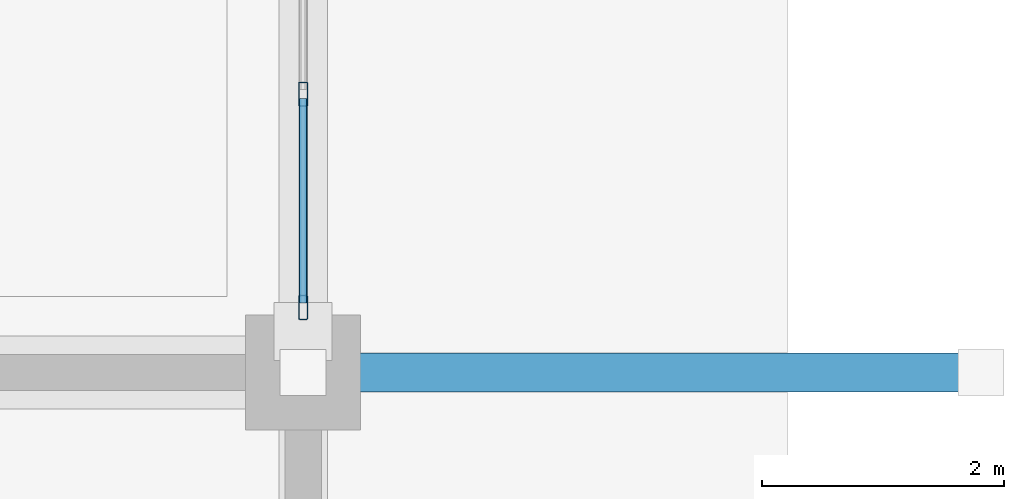
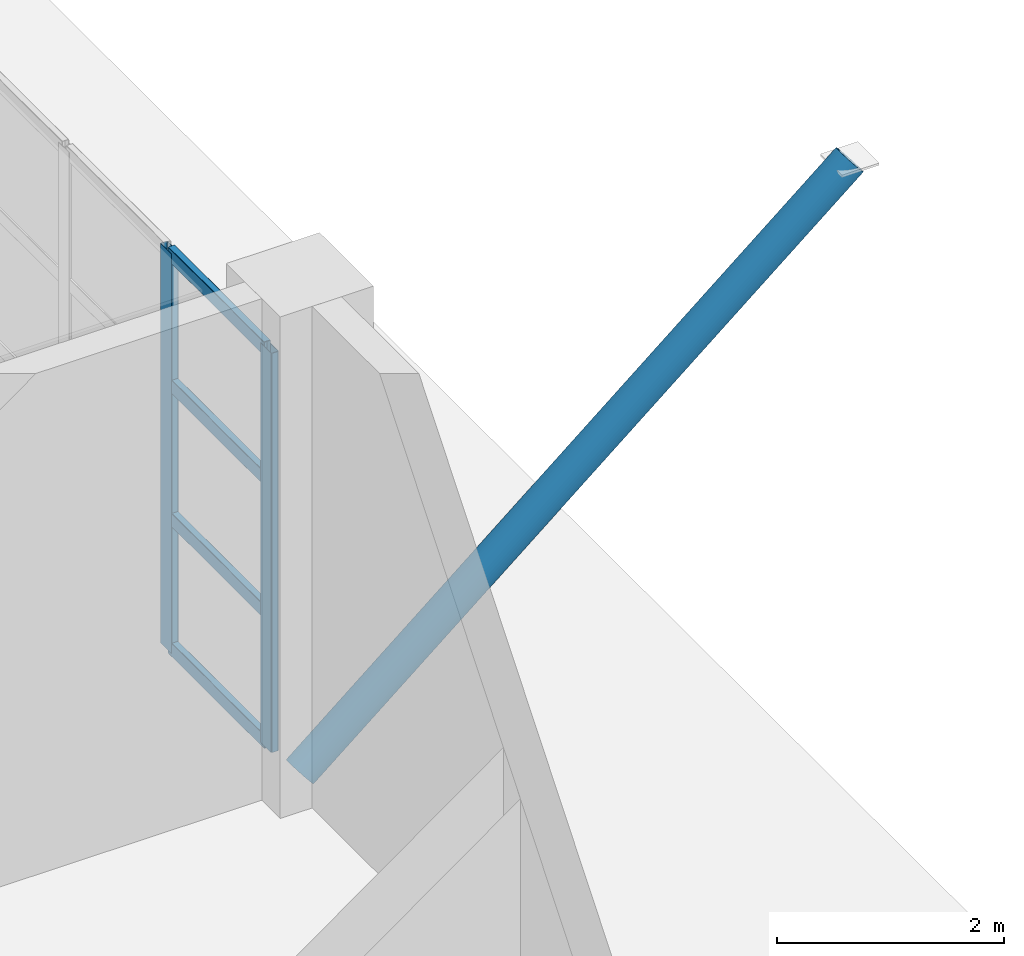
# One storey, part 61 of 124: 7 members, 1 element without a shape of its own.
"""IFC4 building model written with IfcOpenShell, lengths in metres."""

from ifc_helpers import new_model, si_unit, direction, frame, origin, origin_2d, place, context, subcontext, project, spatial, hollow_rectangle, hollow_circle, extrude, material, material_profile, profile_set, type_object, element, aggregate, save


model = new_model("IFC4")

# Units and contexts
model_context = context("Model", 3, precision=1e-05, world=origin(), true_north=direction((0.0, 1.0)))
body_context = subcontext(model_context, "Body", "Model", "MODEL_VIEW")
ifc_project = project(units=[si_unit("LENGTHUNIT", "METRE"), si_unit("AREAUNIT", "SQUARE_METRE"), si_unit("VOLUMEUNIT", "CUBIC_METRE"), si_unit("PLANEANGLEUNIT", "RADIAN"), si_unit("MASSUNIT", "GRAM", prefix="KILO")], contexts=[model_context])

# Site, building, storey
site_placement = place(None, origin())
site = spatial("IfcSite", under=ifc_project, at=site_placement, CompositionType="ELEMENT")
building_placement = place(site_placement, origin())
building = spatial("IfcBuilding", under=site, at=building_placement, Name="Brelvane Convention Centre", CompositionType="ELEMENT")
storey_placement = place(building_placement, origin())
storey = spatial("IfcBuildingStorey", under=building, at=storey_placement, Name="L00", CompositionType="ELEMENT", Elevation=0.0)

# Curtain wall, members
ifc_material_1 = material(Name="Anodised Aluminium Alloy 6063-T6", Category="aluminium")
curtain_wall_type = type_object("IfcCurtainWallType", Name="Curtain Wall CW-BOUL", PredefinedType="USERDEFINED", material=ifc_material_1)
curtain_wall_placement = place(storey_placement, origin())
curtain_wall = element("IfcCurtainWall", 1, at=curtain_wall_placement, inside=storey, type_object=curtain_wall_type, Name="Curtain Wall CW-BOUL L00-V5E-CW-L00", ObjectType="UNITISED", PredefinedType="USERDEFINED")
ifc_material_2 = material(Name="Anodised Aluminium Alloy 6063-T6", Category="aluminium")
ifc_material_profile_1 = material_profile(ifc_material_2, hollow_rectangle(XDim=0.074951171875, YDim=0.199951171875, WallThickness=0.0048828125, InnerFilletRadius=0.0048828125, OuterFilletRadius=0.010009765625, at=origin_2d()), Name="ALU-M 200x75x5.0")
ifc_profile_set_1 = profile_set([ifc_material_profile_1], Name="Anodised Aluminium Alloy 6063-T6")
member_type_1 = type_object("IfcMemberType", Name="Curtain Mullion CW-M2", PredefinedType="MULLION", material=ifc_profile_set_1)
member_1_placement = place(storey_placement, frame((224.39990234375, 29.33740234375, 0.0), z_axis=(0.0, 0.0, 1.0), x_axis=(-1.0, 0.0, 0.0)))
member_1 = element("IfcMember", 2, at=member_1_placement, type_object=member_type_1, Name="CW-BOUL mullion 1", PredefinedType="MULLION", context=body_context, shape_type="SweptSolid", body=[
    extrude(hollow_rectangle(XDim=0.074951171875, YDim=0.199951171875, WallThickness=0.0048828125, InnerFilletRadius=0.0048828125, OuterFilletRadius=0.010009765625, at=origin_2d()), origin(), (0.0, 0.0, 1.0), 4.300048828125),
])
member_2_placement = place(storey_placement, frame((224.39990234375, 31.10009765625, 0.0), z_axis=(0.0, 0.0, 1.0), x_axis=(-1.0, 0.0, 0.0)))
member_2 = element("IfcMember", 3, at=member_2_placement, type_object=member_type_1, Name="CW-BOUL mullion 2", PredefinedType="MULLION", context=body_context, shape_type="SweptSolid", body=[
    extrude(hollow_rectangle(XDim=0.074951171875, YDim=0.199951171875, WallThickness=0.0048828125, InnerFilletRadius=0.0048828125, OuterFilletRadius=0.010009765625, at=origin_2d()), origin(), (0.0, 0.0, 1.0), 4.300048828125),
])
ifc_material_3 = material(Name="Anodised Aluminium Alloy 6063-T6", Category="aluminium")
ifc_material_profile_2 = material_profile(ifc_material_3, hollow_rectangle(XDim=0.070068359375, YDim=0.14990234375, WallThickness=0.00439453125, InnerFilletRadius=0.00439453125, OuterFilletRadius=0.009033203125, at=origin_2d()), Name="ALU-T 150x70x4.5")
ifc_profile_set_2 = profile_set([ifc_material_profile_2], Name="Anodised Aluminium Alloy 6063-T6")
member_type_2 = type_object("IfcMemberType", Name="Curtain Transom CW-T2", PredefinedType="USERDEFINED", material=ifc_profile_set_2)
member_3_placement = place(storey_placement, frame((224.39990234375, 29.375, 0.034912109375), z_axis=(0.0, 1.0, 0.0), x_axis=(-1.0, 0.0, 0.0)))
member_3 = element("IfcMember", 4, at=member_3_placement, type_object=member_type_2, Name="CW-BOUL transom 1.1", ObjectType="TRANSOM", PredefinedType="USERDEFINED", context=body_context, shape_type="SweptSolid", body=[
    extrude(hollow_rectangle(XDim=0.070068359375, YDim=0.14990234375, WallThickness=0.00439453125, InnerFilletRadius=0.00439453125, OuterFilletRadius=0.009033203125, at=origin_2d()), origin(), (0.0, 0.0, 1.0), 1.6875),
])
member_4_placement = place(storey_placement, frame((224.39990234375, 29.375, 1.433349609375), z_axis=(0.0, 1.0, 0.0), x_axis=(-1.0, 0.0, 0.0)))
member_4 = element("IfcMember", 5, at=member_4_placement, type_object=member_type_2, Name="CW-BOUL transom 1.2", ObjectType="TRANSOM", PredefinedType="USERDEFINED", context=body_context, shape_type="SweptSolid", body=[
    extrude(hollow_rectangle(XDim=0.070068359375, YDim=0.14990234375, WallThickness=0.00439453125, InnerFilletRadius=0.00439453125, OuterFilletRadius=0.009033203125, at=origin_2d()), origin(), (0.0, 0.0, 1.0), 1.6875),
])
member_5_placement = place(storey_placement, frame((224.39990234375, 29.375, 2.86669921875), z_axis=(0.0, 1.0, 0.0), x_axis=(-1.0, 0.0, 0.0)))
member_5 = element("IfcMember", 6, at=member_5_placement, type_object=member_type_2, Name="CW-BOUL transom 1.3", ObjectType="TRANSOM", PredefinedType="USERDEFINED", context=body_context, shape_type="SweptSolid", body=[
    extrude(hollow_rectangle(XDim=0.070068359375, YDim=0.14990234375, WallThickness=0.00439453125, InnerFilletRadius=0.00439453125, OuterFilletRadius=0.009033203125, at=origin_2d()), origin(), (0.0, 0.0, 1.0), 1.6875),
])
member_6_placement = place(storey_placement, frame((224.39990234375, 29.375, 4.264892578125), z_axis=(0.0, 1.0, 0.0), x_axis=(-1.0, 0.0, 0.0)))
member_6 = element("IfcMember", 7, at=member_6_placement, type_object=member_type_2, Name="CW-BOUL transom 1.4", ObjectType="TRANSOM", PredefinedType="USERDEFINED", context=body_context, shape_type="SweptSolid", body=[
    extrude(hollow_rectangle(XDim=0.070068359375, YDim=0.14990234375, WallThickness=0.00439453125, InnerFilletRadius=0.00439453125, OuterFilletRadius=0.009033203125, at=origin_2d()), origin(), (0.0, 0.0, 1.0), 1.6875),
])
aggregate(curtain_wall, [member_1, member_2, member_3, member_4, member_5, member_6])

# Member
ifc_material_4 = material(Name="Steel E450 (450 MPa)", Category="steel")
ifc_material_profile_3 = material_profile(ifc_material_4, hollow_circle(Radius=0.161865234375, WallThickness=0.012451171875, at=origin_2d()), Name="CHS 323.9x12.5")
ifc_profile_set_3 = profile_set([ifc_material_profile_3], Name="Steel E450 (450 MPa)")
member_type_3 = type_object("IfcMemberType", Name="Steel Strut HS-ST2 (CHS 323.9x12.5)", PredefinedType="STRUT", material=ifc_profile_set_3)
member_7_placement = place(storey_placement, frame((224.39990234375, 28.800048828125, 0.050048828125), z_axis=(0.770710637556, 0.0, 0.637185305197), x_axis=(0.0, 1.0, 0.0)))
element("IfcMember", 8, at=member_7_placement, inside=storey, type_object=member_type_3, Name="Plenary East Overhang Raked Strut L01 Y28", PredefinedType="STRUT", context=body_context, shape_type="SweptSolid", body=[
    extrude(hollow_circle(Radius=0.161865234375, WallThickness=0.012451171875, at=origin_2d()), origin(), (0.0, 0.0, 1.0), 7.26611328125),
])

save(model, "model.ifc")
